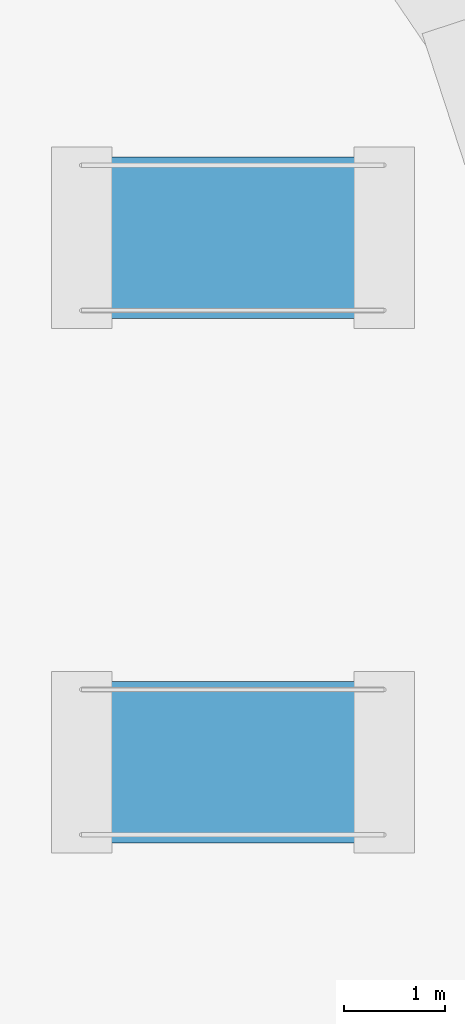
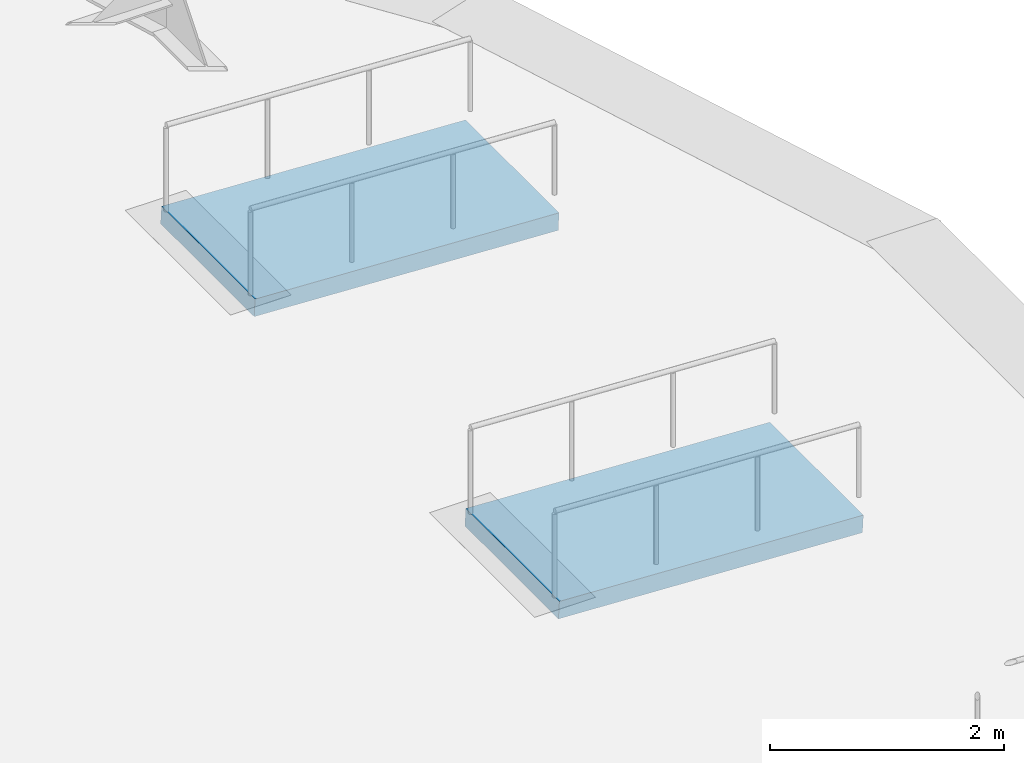
# One storey, part 17 of 21: 2 ramp flights, 2 elements without a shape of their own.
"""IFC4 building model written with IfcOpenShell, lengths in metres."""

from ifc_helpers import new_model, si_unit, direction, frame, origin, place, context, subcontext, project, spatial, polyline, outline, extrude, material, layer, layer_set, type_object, element, aggregate, save


model = new_model("IFC4")

# Units and contexts
model_context = context("Model", 3, precision=1e-05, world=origin(), true_north=direction((0.0, 1.0)))
body_context = subcontext(model_context, "Body", "Model", "MODEL_VIEW")
ifc_project = project(units=[si_unit("LENGTHUNIT", "METRE"), si_unit("AREAUNIT", "SQUARE_METRE"), si_unit("VOLUMEUNIT", "CUBIC_METRE"), si_unit("PLANEANGLEUNIT", "RADIAN"), si_unit("MASSUNIT", "GRAM", prefix="KILO")], contexts=[model_context])

# Site, building, storey
site_placement = place(None, origin())
site = spatial("IfcSite", under=ifc_project, at=site_placement, CompositionType="ELEMENT")
building_placement = place(site_placement, origin())
building = spatial("IfcBuilding", under=site, at=building_placement, Name="Keldmark Tower", CompositionType="ELEMENT")
storey_placement = place(building_placement, origin())
storey = spatial("IfcBuildingStorey", under=building, at=storey_placement, Name="L00", CompositionType="ELEMENT", Elevation=0.0)

# Ramp, ramp flight
ifc_material_1 = material(Name="Broom-Finished Heated Concrete C35/45", Category="concrete")
ramp_type = type_object("IfcRampType", Name="Plaza Accessible Curb Ramp Assembly", PredefinedType="STRAIGHT_RUN_RAMP", material=ifc_material_1)
ramp_1_placement = place(storey_placement, origin())
ramp_1 = element("IfcRamp", 1, at=ramp_1_placement, inside=storey, type_object=ramp_type, Name="L00 Accessible Curb Ramp RMP-L00-E2", PredefinedType="STRAIGHT_RUN_RAMP")
ifc_material_2 = material(Name="Broom-Finished Heated Concrete C35/45", Category="concrete")
ifc_layer = layer(ifc_material_2, 0.179931640625)
ifc_layer_set = layer_set([ifc_layer], Name="Broom-Finished Heated Concrete C35/45")
ramp_flight_type = type_object("IfcRampFlightType", Name="Plaza Accessible Ramp Flight 1:20", PredefinedType="STRAIGHT", material=ifc_layer_set)
ramp_flight_1_placement = place(storey_placement, frame((38.5, 0.800048828125, -0.14990234375), z_axis=(0.049905186472, 0.0, 0.998753959874), x_axis=(-0.998753959874, 0.0, 0.049905186472)))
ramp_flight_1 = element("IfcRampFlight", 2, at=ramp_flight_1_placement, type_object=ramp_flight_type, Name="L00 Accessible Ramp Flight E2", PredefinedType="STRAIGHT", context=body_context, shape_type="SweptSolid", body=[
    extrude(outline(polyline([(0.0, 0.0), (3.003742784038231, 0.0), (3.003742784038231, 1.60009765625), (0.0, 1.60009765625), (0.0, 0.0)])), origin(), (0.0, 0.0, -1.0), 0.179931640625),
])
aggregate(ramp_1, [ramp_flight_1])

ramp_2_placement = place(storey_placement, origin())
ramp_2 = element("IfcRamp", 3, at=ramp_2_placement, inside=storey, type_object=ramp_type, Name="L00 Accessible Curb Ramp RMP-L00-E3", PredefinedType="STRAIGHT_RUN_RAMP")
ramp_flight_2_placement = place(storey_placement, frame((38.5, 6.0, -0.14990234375), z_axis=(0.049905186472, 0.0, 0.998753959874), x_axis=(-0.998753959874, 0.0, 0.049905186472)))
ramp_flight_2 = element("IfcRampFlight", 4, at=ramp_flight_2_placement, type_object=ramp_flight_type, Name="L00 Accessible Ramp Flight E3", PredefinedType="STRAIGHT", context=body_context, shape_type="SweptSolid", body=[
    extrude(outline(polyline([(0.0, 0.0), (3.003742784038231, 0.0), (3.003742784038231, 1.60009765625), (0.0, 1.60009765625), (0.0, 0.0)])), origin(), (0.0, 0.0, -1.0), 0.179931640625),
])
aggregate(ramp_2, [ramp_flight_2])

save(model, "model.ifc")
